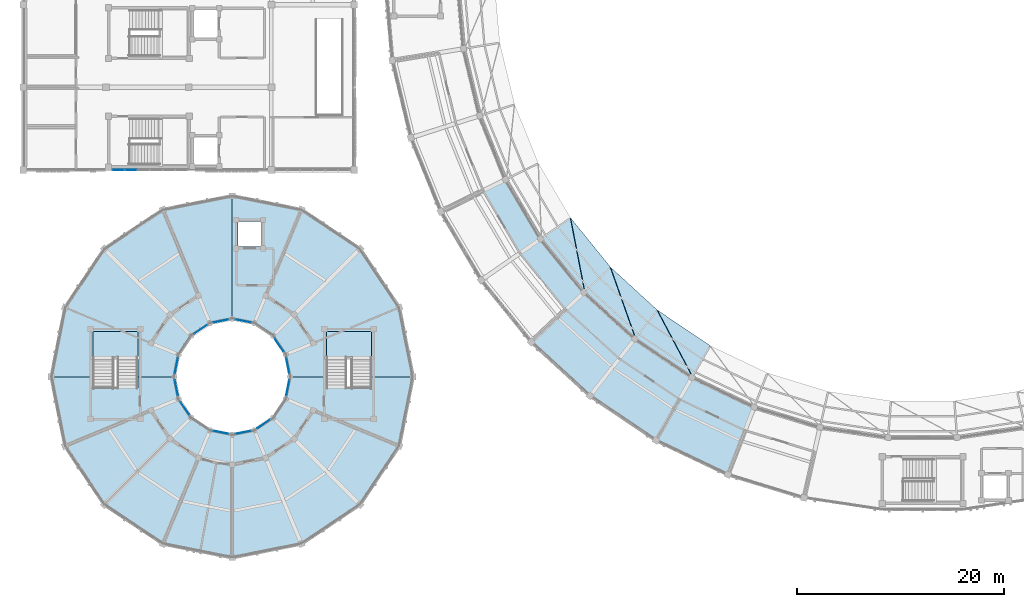
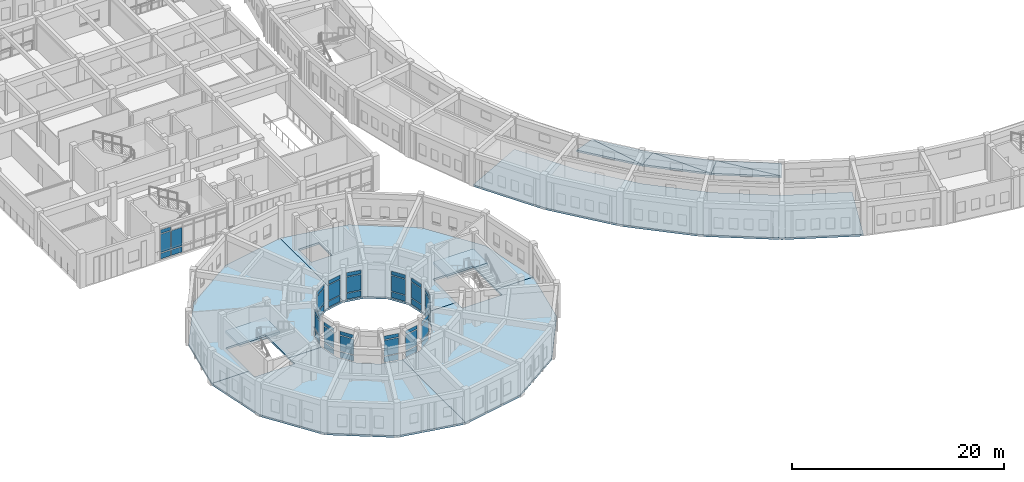
# One storey, part 66 of 112: 41 plates, 13 slabs, 15 elements without a shape of their own.
"""IFC4 building model written with IfcOpenShell, lengths in metres."""

import ifcopenshell
import ifcopenshell.guid

model = None  # the IFC model being written
_history = None  # IfcOwnerHistory: only IFC2X3 demands one
_inside = {}  # id of a spatial element -> (the spatial element, [elements in it])
_under = {}  # id of a project, library or spatial element -> (it, [spatial elements below it])
_declared = {}  # id of a project -> (the project, [libraries it declares])
_typed = {}  # id of a type object -> (the type object, [elements of that type])
_made_of = {}  # id of a material, layer set ... -> (it, [elements and type objects made of it])


def new_model(schema):
    """Start an empty IFC model of exactly this schema.

    Asked for "IFC4X3", IfcOpenShell would pick the latest addendum, in which some entities
    have other attributes; the version numbers below select the first issue.
    IFC2X3 requires an IfcOwnerHistory on every rooted entity: one is made here for all.
    """
    global model, _history
    if schema == "IFC4X3":
        model = ifcopenshell.file(schema_version=(4, 3, 0, 0))
    else:
        model = ifcopenshell.file(schema=schema)
    _inside.clear()
    _under.clear()
    _declared.clear()
    _typed.clear()
    _made_of.clear()
    _history = None
    if model.schema == "IFC2X3":
        org = make("IfcOrganization", Name="unknown")
        user = make(
            "IfcPersonAndOrganization",
            ThePerson=make("IfcPerson", FamilyName="unknown"),
            TheOrganization=org,
        )
        app = make(
            "IfcApplication",
            ApplicationDeveloper=org,
            Version="unknown",
            ApplicationFullName="unknown",
            ApplicationIdentifier="unknown",
        )
        _history = make(
            "IfcOwnerHistory",
            OwningUser=user,
            OwningApplication=app,
            ChangeAction="ADDED",
            CreationDate=0,
        )
    return model


def make(cls, **values):
    """One entity of the class cls with the attributes given. An attribute that is None is left unset."""
    return model.create_entity(
        cls, **{name: value for name, value in values.items() if value is not None}
    )


def rooted(cls, **values):
    """An entity with a GlobalId (a new one), such as an element, a storey or a relation."""
    return make(cls, GlobalId=ifcopenshell.guid.new(), OwnerHistory=_history, **values)


def si_unit(unit_type, name, prefix=None):
    """IfcSIUnit, for example si_unit("LENGTHUNIT", "METRE", prefix="MILLI")."""
    return make("IfcSIUnit", UnitType=unit_type, Prefix=prefix, Name=name)


def assignment(units):
    """IfcUnitAssignment: the units of a project."""
    return None if units is None else make("IfcUnitAssignment", Units=units)


def point(xyz):
    """IfcCartesianPoint."""
    return None if xyz is None else make("IfcCartesianPoint", Coordinates=xyz)


def direction(xyz):
    """IfcDirection."""
    return None if xyz is None else make("IfcDirection", DirectionRatios=xyz)


def frame(location, z_axis=None, x_axis=None):
    """IfcAxis2Placement3D, a coordinate frame: its origin and axes. An axis left out is left unset."""
    return make(
        "IfcAxis2Placement3D",
        Location=point(location),
        Axis=direction(z_axis),
        RefDirection=direction(x_axis),
    )


def frame_2d(location, x_axis=None):
    """IfcAxis2Placement2D, a coordinate frame in the plane: its origin and x axis."""
    return make(
        "IfcAxis2Placement2D", Location=point(location), RefDirection=direction(x_axis)
    )


def origin():
    """The frame at (0, 0, 0) with its axes left unset."""
    return frame((0.0, 0.0, 0.0))


def origin_2d():
    """The frame at (0, 0) in the plane with its x axis left unset."""
    return frame_2d((0.0, 0.0))


def place(relative_to, where):
    """IfcLocalPlacement: puts the frame where relative to a parent placement (None: the world)."""
    return make(
        "IfcLocalPlacement", PlacementRelTo=relative_to, RelativePlacement=where
    )


def context(
    kind, dimensions, precision=None, world=None, true_north=None, identifier=None
):
    """IfcGeometricRepresentationContext, for example the 3D "Model" context."""
    return make(
        "IfcGeometricRepresentationContext",
        ContextIdentifier=identifier,
        ContextType=kind,
        CoordinateSpaceDimension=dimensions,
        Precision=precision,
        WorldCoordinateSystem=world,
        TrueNorth=true_north,
    )


def subcontext(parent, identifier, kind, view, scale=None):
    """IfcGeometricRepresentationSubContext, for example "Body" below "Model"."""
    return make(
        "IfcGeometricRepresentationSubContext",
        ContextIdentifier=identifier,
        ContextType=kind,
        ParentContext=parent,
        TargetScale=scale,
        TargetView=view,
    )


def project(units=None, contexts=None):
    """IfcProject with its units and contexts."""
    return rooted(
        "IfcProject",
        Name="project",
        RepresentationContexts=contexts,
        UnitsInContext=assignment(units),
    )


def spatial(cls, under=None, at=None, **own):
    """A site, building, storey or space (cls), placed at a placement, below another one or the project."""
    s = rooted(cls, ObjectPlacement=at, **own)
    if under is not None:
        _under.setdefault(under.id(), (under, []))[1].append(s)
    return s


def polyline(points):
    """IfcPolyline through the points."""
    return make("IfcPolyline", Points=[point(p) for p in points])


def profile(cls, at=None, kind="AREA", **sizes):
    """A parametric profile (cls). Its sizes go by their IFC names, for example OverallWidth=200.0."""
    return make(cls, ProfileType=kind, Position=at, **sizes)


def rectangle(**sizes):
    """IfcRectangleProfileDef."""
    return profile("IfcRectangleProfileDef", **sizes)


def outline(outer, holes=None, kind="AREA"):
    """IfcArbitraryClosedProfileDef: a profile drawn as a closed curve; with holes, ...WithVoids."""
    if holes is None:
        return make("IfcArbitraryClosedProfileDef", ProfileType=kind, OuterCurve=outer)
    return make(
        "IfcArbitraryProfileDefWithVoids",
        ProfileType=kind,
        OuterCurve=outer,
        InnerCurves=holes,
    )


def extrude(swept, where, along, depth):
    """IfcExtrudedAreaSolid: the profile swept, set in the frame where, extruded along a direction by depth."""
    return make(
        "IfcExtrudedAreaSolid",
        SweptArea=swept,
        Position=where,
        ExtrudedDirection=direction(along),
        Depth=depth,
    )


def shape(context_of_items, identifier, shape_type, items):
    """IfcShapeRepresentation: the items that make up one representation, for example the "Body"."""
    return make(
        "IfcShapeRepresentation",
        ContextOfItems=context_of_items,
        RepresentationIdentifier=identifier,
        RepresentationType=shape_type,
        Items=items,
    )


def material(Name=None, Category=None):
    """IfcMaterial."""
    return make("IfcMaterial", Name=Name, Category=Category)


def layer(
    of_material, thickness, ventilated=None, Name=None, Category=None, Priority=None
):
    """IfcMaterialLayer: one layer of a wall or slab, of a material (None: an air gap)."""
    return make(
        "IfcMaterialLayer",
        Material=of_material,
        LayerThickness=thickness,
        IsVentilated=ventilated,
        Name=Name,
        Category=Category,
        Priority=Priority,
    )


def layer_set(layers, Name=None):
    """IfcMaterialLayerSet."""
    return make("IfcMaterialLayerSet", MaterialLayers=layers, LayerSetName=Name)


def made_of(thing, what):
    """Note that an element or type object is made of a material, layer set ...; save() writes the relation."""
    if what is not None:
        _made_of.setdefault(what.id(), (what, []))[1].append(thing)
    return thing


def type_object(cls, material=None, **own):
    """A type object (cls), such as IfcWallType, which elements share."""
    return made_of(rooted(cls, **own), material)


def element(
    cls,
    number,
    at=None,
    inside=None,
    cuts=None,
    type_object=None,
    material=None,
    context=None,
    identifier="Body",
    shape_type=None,
    held_by="IfcProductDefinitionShape",
    body=None,
    shapes=None,
    **own,
):
    """One element of the class cls, such as IfcWall. Its Tag is "e" and its number.

    at: its placement. inside: the storey or other place that contains it. cuts: it is an
    opening in that element (IfcRelVoidsElement). A single representation is given by context,
    identifier, shape_type and body (its items); several are given by shapes. held_by: the class
    of the entity that holds the representations. save() writes the other relations.
    """
    e = rooted(cls, Tag="e%d" % number, ObjectPlacement=at, **own)
    if body is not None:
        shapes = [shape(context, identifier, shape_type, body)]
    if shapes is not None:
        e.Representation = make(held_by, Representations=shapes)
    if inside is not None:
        _inside.setdefault(inside.id(), (inside, []))[1].append(e)
    if cuts is not None:
        rooted(
            "IfcRelVoidsElement", RelatingBuildingElement=cuts, RelatedOpeningElement=e
        )
    if type_object is not None:
        _typed.setdefault(type_object.id(), (type_object, []))[1].append(e)
    return made_of(e, material)


def aggregate(whole, parts):
    """IfcRelAggregates: a whole, such as a stair, and the parts it consists of."""
    return rooted("IfcRelAggregates", RelatingObject=whole, RelatedObjects=parts)


def save(model, path):
    """Write the relations noted so far, then the file.

    IfcRelAggregates (storeys below a building ...), IfcRelContainedInSpatialStructure (elements
    in a storey), IfcRelDefinesByType, IfcRelAssociatesMaterial and IfcRelDeclares: one each for
    every whole, place, type object, material and project.
    """
    for whole, parts in _under.values():
        aggregate(whole, parts)
    for where, things in _inside.values():
        rooted(
            "IfcRelContainedInSpatialStructure",
            RelatedElements=things,
            RelatingStructure=where,
        )
    for kind, things in _typed.values():
        rooted("IfcRelDefinesByType", RelatedObjects=things, RelatingType=kind)
    for what, things in _made_of.values():
        rooted("IfcRelAssociatesMaterial", RelatedObjects=things, RelatingMaterial=what)
    for by, libraries in _declared.values():
        rooted("IfcRelDeclares", RelatingContext=by, RelatedDefinitions=libraries)
    model.write(path)


model = new_model("IFC4")

# Units and contexts
model_context = context("Model", 3, precision=1e-05, world=origin(), true_north=direction((0.0, 1.0)))
body_context = subcontext(model_context, "Body", "Model", "MODEL_VIEW")
ifc_project = project(units=[si_unit("LENGTHUNIT", "METRE"), si_unit("AREAUNIT", "SQUARE_METRE"), si_unit("VOLUMEUNIT", "CUBIC_METRE"), si_unit("PLANEANGLEUNIT", "RADIAN"), si_unit("MASSUNIT", "GRAM", prefix="KILO")], contexts=[model_context])

# Site, building, storey
site_placement = place(None, origin())
site = spatial("IfcSite", under=ifc_project, at=site_placement, CompositionType="ELEMENT")
building_placement = place(site_placement, origin())
building = spatial("IfcBuilding", under=site, at=building_placement, Name="Celadon Cloister-Ring School", CompositionType="ELEMENT")
storey_placement = place(building_placement, frame((0.0, 0.0, 8.5)))
storey = spatial("IfcBuildingStorey", under=building, at=storey_placement, Name="L02", CompositionType="ELEMENT", Elevation=8.5)

# Curtain wall, plates
ifc_material_1 = material(Name="Aluminium EN AW-6063 T6", Category="aluminium")
curtain_wall_type_1 = type_object("IfcCurtainWallType", Name="CW-04", PredefinedType="USERDEFINED", material=ifc_material_1)
curtain_wall_1_placement = place(storey_placement, origin())
curtain_wall_1 = element("IfcCurtainWall", 1, at=curtain_wall_1_placement, inside=storey, type_object=curtain_wall_type_1, Name="Curtain Wall 0151", ObjectType="CURTAIN WALL", PredefinedType="USERDEFINED")
ifc_material_2 = material(Name="Tempered laminated insulating glass", Category="glass")
ifc_layer_1 = layer(ifc_material_2, 0.02001953125)
ifc_layer_set_1 = layer_set([ifc_layer_1], Name="Tempered laminated insulating glass")
plate_type = type_object("IfcPlateType", Name="CPN-01", PredefinedType="CURTAIN_PANEL", material=ifc_layer_set_1)
plate_1_placement = place(storey_placement, frame((25.5869140625, 21.071533203125, 0.090087890625), z_axis=(0.0, 0.0, 1.0), x_axis=(-0.194586131301, 0.980885435464, 0.0)))
plate_1 = element("IfcPlate", 2, at=plate_1_placement, type_object=plate_type, Name="CW-04 panel 1.1", PredefinedType="CURTAIN_PANEL", context=body_context, shape_type="SweptSolid", body=[
    extrude(rectangle(XDim=1.4443359375, YDim=0.02001953125, at=origin_2d()), origin(), (0.0, 0.0, 1.0), 0.6650390625),
])
plate_2_placement = place(storey_placement, frame((25.5869140625, 21.071533203125, 0.84521484375), z_axis=(0.0, 0.0, 1.0), x_axis=(-0.194586131301, 0.980885435464, 0.0)))
plate_2 = element("IfcPlate", 3, at=plate_2_placement, type_object=plate_type, Name="CW-04 panel 1.2", PredefinedType="CURTAIN_PANEL", context=body_context, shape_type="SweptSolid", body=[
    extrude(rectangle(XDim=1.4443359375, YDim=0.02001953125, at=origin_2d()), origin(), (0.0, 0.0, 1.0), 1.781982421875),
])
plate_3_placement = place(storey_placement, frame((25.5869140625, 21.071533203125, 2.717041015625), z_axis=(0.0, 0.0, 1.0), x_axis=(-0.194586131301, 0.980885435464, 0.0)))
plate_3 = element("IfcPlate", 4, at=plate_3_placement, type_object=plate_type, Name="CW-04 panel 1.3", PredefinedType="CURTAIN_PANEL", context=body_context, shape_type="SweptSolid", body=[
    extrude(rectangle(XDim=1.4443359375, YDim=0.02001953125, at=origin_2d()), origin(), (0.0, 0.0, 1.0), 0.4150390625),
])
aggregate(curtain_wall_1, [plate_1, plate_2, plate_3])

curtain_wall_2_placement = place(storey_placement, origin())
curtain_wall_2 = element("IfcCurtainWall", 5, at=curtain_wall_2_placement, inside=storey, type_object=curtain_wall_type_1, Name="Curtain Wall 0152", ObjectType="CURTAIN WALL", PredefinedType="USERDEFINED")
plate_4_placement = place(storey_placement, frame((24.76708984375, 23.051513671875, 0.090087890625), z_axis=(0.0, 0.0, 1.0), x_axis=(-0.555547066224, 0.831485091394, 0.0)))
plate_4 = element("IfcPlate", 6, at=plate_4_placement, type_object=plate_type, Name="CW-04 panel 1.1", PredefinedType="CURTAIN_PANEL", context=body_context, shape_type="SweptSolid", body=[
    extrude(rectangle(XDim=1.4443359375, YDim=0.02001953125, at=origin_2d()), origin(), (0.0, 0.0, 1.0), 0.6650390625),
])
plate_5_placement = place(storey_placement, frame((24.76708984375, 23.051513671875, 0.84521484375), z_axis=(0.0, 0.0, 1.0), x_axis=(-0.555547066224, 0.831485091394, 0.0)))
plate_5 = element("IfcPlate", 7, at=plate_5_placement, type_object=plate_type, Name="CW-04 panel 1.2", PredefinedType="CURTAIN_PANEL", context=body_context, shape_type="SweptSolid", body=[
    extrude(rectangle(XDim=1.4443359375, YDim=0.02001953125, at=origin_2d()), origin(), (0.0, 0.0, 1.0), 1.781982421875),
])
plate_6_placement = place(storey_placement, frame((24.76708984375, 23.051513671875, 2.717041015625), z_axis=(0.0, 0.0, 1.0), x_axis=(-0.555547066224, 0.831485091394, 0.0)))
plate_6 = element("IfcPlate", 8, at=plate_6_placement, type_object=plate_type, Name="CW-04 panel 1.3", PredefinedType="CURTAIN_PANEL", context=body_context, shape_type="SweptSolid", body=[
    extrude(rectangle(XDim=1.4443359375, YDim=0.02001953125, at=origin_2d()), origin(), (0.0, 0.0, 1.0), 0.4150390625),
])
aggregate(curtain_wall_2, [plate_4, plate_5, plate_6])

curtain_wall_3_placement = place(storey_placement, origin())
curtain_wall_3 = element("IfcCurtainWall", 9, at=curtain_wall_3_placement, inside=storey, type_object=curtain_wall_type_1, Name="Curtain Wall 0153", ObjectType="CURTAIN WALL", PredefinedType="USERDEFINED")
plate_7_placement = place(storey_placement, frame((21.271484375, 25.386962890625, 0.090087890625), z_axis=(0.0, 0.0, 1.0), x_axis=(-0.980885435464, 0.194586131301, 0.0)))
plate_7 = element("IfcPlate", 10, at=plate_7_placement, type_object=plate_type, Name="CW-04 panel 1.1", PredefinedType="CURTAIN_PANEL", context=body_context, shape_type="SweptSolid", body=[
    extrude(rectangle(XDim=1.4443359375, YDim=0.02001953125, at=origin_2d()), origin(), (0.0, 0.0, 1.0), 0.6650390625),
])
plate_8_placement = place(storey_placement, frame((21.271484375, 25.386962890625, 0.84521484375), z_axis=(0.0, 0.0, 1.0), x_axis=(-0.980885435464, 0.194586131301, 0.0)))
plate_8 = element("IfcPlate", 11, at=plate_8_placement, type_object=plate_type, Name="CW-04 panel 1.2", PredefinedType="CURTAIN_PANEL", context=body_context, shape_type="SweptSolid", body=[
    extrude(rectangle(XDim=1.4443359375, YDim=0.02001953125, at=origin_2d()), origin(), (0.0, 0.0, 1.0), 1.781982421875),
])
plate_9_placement = place(storey_placement, frame((21.271484375, 25.386962890625, 2.717041015625), z_axis=(0.0, 0.0, 1.0), x_axis=(-0.980885435464, 0.194586131301, 0.0)))
plate_9 = element("IfcPlate", 12, at=plate_9_placement, type_object=plate_type, Name="CW-04 panel 1.3", PredefinedType="CURTAIN_PANEL", context=body_context, shape_type="SweptSolid", body=[
    extrude(rectangle(XDim=1.4443359375, YDim=0.02001953125, at=origin_2d()), origin(), (0.0, 0.0, 1.0), 0.4150390625),
])
aggregate(curtain_wall_3, [plate_7, plate_8, plate_9])

curtain_wall_4_placement = place(storey_placement, origin())
curtain_wall_4 = element("IfcCurtainWall", 13, at=curtain_wall_4_placement, inside=storey, type_object=curtain_wall_type_1, Name="Curtain Wall 0154", ObjectType="CURTAIN WALL", PredefinedType="USERDEFINED")
plate_10_placement = place(storey_placement, frame((19.12841796875, 25.386962890625, 0.090087890625), z_axis=(0.0, 0.0, 1.0), x_axis=(-0.980885435464, -0.194586131301, 0.0)))
plate_10 = element("IfcPlate", 14, at=plate_10_placement, type_object=plate_type, Name="CW-04 panel 1.1", PredefinedType="CURTAIN_PANEL", context=body_context, shape_type="SweptSolid", body=[
    extrude(rectangle(XDim=1.4443359375, YDim=0.02001953125, at=origin_2d()), origin(), (0.0, 0.0, 1.0), 0.6650390625),
])
plate_11_placement = place(storey_placement, frame((19.12841796875, 25.386962890625, 0.84521484375), z_axis=(0.0, 0.0, 1.0), x_axis=(-0.980885435464, -0.194586131301, 0.0)))
plate_11 = element("IfcPlate", 15, at=plate_11_placement, type_object=plate_type, Name="CW-04 panel 1.2", PredefinedType="CURTAIN_PANEL", context=body_context, shape_type="SweptSolid", body=[
    extrude(rectangle(XDim=1.4443359375, YDim=0.02001953125, at=origin_2d()), origin(), (0.0, 0.0, 1.0), 1.781982421875),
])
plate_12_placement = place(storey_placement, frame((19.12841796875, 25.386962890625, 2.717041015625), z_axis=(0.0, 0.0, 1.0), x_axis=(-0.980885435464, -0.194586131301, 0.0)))
plate_12 = element("IfcPlate", 16, at=plate_12_placement, type_object=plate_type, Name="CW-04 panel 1.3", PredefinedType="CURTAIN_PANEL", context=body_context, shape_type="SweptSolid", body=[
    extrude(rectangle(XDim=1.4443359375, YDim=0.02001953125, at=origin_2d()), origin(), (0.0, 0.0, 1.0), 0.4150390625),
])
aggregate(curtain_wall_4, [plate_10, plate_11, plate_12])

curtain_wall_5_placement = place(storey_placement, origin())
curtain_wall_5 = element("IfcCurtainWall", 17, at=curtain_wall_5_placement, inside=storey, type_object=curtain_wall_type_1, Name="Curtain Wall 0155", ObjectType="CURTAIN WALL", PredefinedType="USERDEFINED")
plate_13_placement = place(storey_placement, frame((17.1484375, 24.56689453125, 0.090087890625), z_axis=(0.0, 0.0, 1.0), x_axis=(-0.831485091394, -0.555547066224, 0.0)))
plate_13 = element("IfcPlate", 18, at=plate_13_placement, type_object=plate_type, Name="CW-04 panel 1.1", PredefinedType="CURTAIN_PANEL", context=body_context, shape_type="SweptSolid", body=[
    extrude(rectangle(XDim=1.4443359375, YDim=0.02001953125, at=origin_2d()), origin(), (0.0, 0.0, 1.0), 0.6650390625),
])
plate_14_placement = place(storey_placement, frame((17.1484375, 24.56689453125, 0.84521484375), z_axis=(0.0, 0.0, 1.0), x_axis=(-0.831485091394, -0.555547066224, 0.0)))
plate_14 = element("IfcPlate", 19, at=plate_14_placement, type_object=plate_type, Name="CW-04 panel 1.2", PredefinedType="CURTAIN_PANEL", context=body_context, shape_type="SweptSolid", body=[
    extrude(rectangle(XDim=1.4443359375, YDim=0.02001953125, at=origin_2d()), origin(), (0.0, 0.0, 1.0), 1.781982421875),
])
plate_15_placement = place(storey_placement, frame((17.1484375, 24.56689453125, 2.717041015625), z_axis=(0.0, 0.0, 1.0), x_axis=(-0.831485091394, -0.555547066224, 0.0)))
plate_15 = element("IfcPlate", 20, at=plate_15_placement, type_object=plate_type, Name="CW-04 panel 1.3", PredefinedType="CURTAIN_PANEL", context=body_context, shape_type="SweptSolid", body=[
    extrude(rectangle(XDim=1.4443359375, YDim=0.02001953125, at=origin_2d()), origin(), (0.0, 0.0, 1.0), 0.4150390625),
])
aggregate(curtain_wall_5, [plate_13, plate_14, plate_15])

curtain_wall_6_placement = place(storey_placement, origin())
curtain_wall_6 = element("IfcCurtainWall", 21, at=curtain_wall_6_placement, inside=storey, type_object=curtain_wall_type_1, Name="Curtain Wall 0156", ObjectType="CURTAIN WALL", PredefinedType="USERDEFINED")
plate_16_placement = place(storey_placement, frame((14.81298828125, 21.071533203125, 0.090087890625), z_axis=(0.0, 0.0, 1.0), x_axis=(-0.194586131301, -0.980885435464, 0.0)))
plate_16 = element("IfcPlate", 22, at=plate_16_placement, type_object=plate_type, Name="CW-04 panel 1.1", PredefinedType="CURTAIN_PANEL", context=body_context, shape_type="SweptSolid", body=[
    extrude(rectangle(XDim=1.4443359375, YDim=0.02001953125, at=origin_2d()), origin(), (0.0, 0.0, 1.0), 0.6650390625),
])
plate_17_placement = place(storey_placement, frame((14.81298828125, 21.071533203125, 0.84521484375), z_axis=(0.0, 0.0, 1.0), x_axis=(-0.194586131301, -0.980885435464, 0.0)))
plate_17 = element("IfcPlate", 23, at=plate_17_placement, type_object=plate_type, Name="CW-04 panel 1.2", PredefinedType="CURTAIN_PANEL", context=body_context, shape_type="SweptSolid", body=[
    extrude(rectangle(XDim=1.4443359375, YDim=0.02001953125, at=origin_2d()), origin(), (0.0, 0.0, 1.0), 1.781982421875),
])
plate_18_placement = place(storey_placement, frame((14.81298828125, 21.071533203125, 2.717041015625), z_axis=(0.0, 0.0, 1.0), x_axis=(-0.194586131301, -0.980885435464, 0.0)))
plate_18 = element("IfcPlate", 24, at=plate_18_placement, type_object=plate_type, Name="CW-04 panel 1.3", PredefinedType="CURTAIN_PANEL", context=body_context, shape_type="SweptSolid", body=[
    extrude(rectangle(XDim=1.4443359375, YDim=0.02001953125, at=origin_2d()), origin(), (0.0, 0.0, 1.0), 0.4150390625),
])
aggregate(curtain_wall_6, [plate_16, plate_17, plate_18])

curtain_wall_7_placement = place(storey_placement, origin())
curtain_wall_7 = element("IfcCurtainWall", 25, at=curtain_wall_7_placement, inside=storey, type_object=curtain_wall_type_1, Name="Curtain Wall 0157", ObjectType="CURTAIN WALL", PredefinedType="USERDEFINED")
plate_19_placement = place(storey_placement, frame((14.81298828125, 18.928466796875, 0.090087890625), z_axis=(0.0, 0.0, 1.0), x_axis=(0.194586131301, -0.980885435464, 0.0)))
plate_19 = element("IfcPlate", 26, at=plate_19_placement, type_object=plate_type, Name="CW-04 panel 1.1", PredefinedType="CURTAIN_PANEL", context=body_context, shape_type="SweptSolid", body=[
    extrude(rectangle(XDim=1.4443359375, YDim=0.02001953125, at=origin_2d()), origin(), (0.0, 0.0, 1.0), 0.6650390625),
])
plate_20_placement = place(storey_placement, frame((14.81298828125, 18.928466796875, 0.84521484375), z_axis=(0.0, 0.0, 1.0), x_axis=(0.194586131301, -0.980885435464, 0.0)))
plate_20 = element("IfcPlate", 27, at=plate_20_placement, type_object=plate_type, Name="CW-04 panel 1.2", PredefinedType="CURTAIN_PANEL", context=body_context, shape_type="SweptSolid", body=[
    extrude(rectangle(XDim=1.4443359375, YDim=0.02001953125, at=origin_2d()), origin(), (0.0, 0.0, 1.0), 1.781982421875),
])
plate_21_placement = place(storey_placement, frame((14.81298828125, 18.928466796875, 2.717041015625), z_axis=(0.0, 0.0, 1.0), x_axis=(0.194586131301, -0.980885435464, 0.0)))
plate_21 = element("IfcPlate", 28, at=plate_21_placement, type_object=plate_type, Name="CW-04 panel 1.3", PredefinedType="CURTAIN_PANEL", context=body_context, shape_type="SweptSolid", body=[
    extrude(rectangle(XDim=1.4443359375, YDim=0.02001953125, at=origin_2d()), origin(), (0.0, 0.0, 1.0), 0.4150390625),
])
aggregate(curtain_wall_7, [plate_19, plate_20, plate_21])

curtain_wall_8_placement = place(storey_placement, origin())
curtain_wall_8 = element("IfcCurtainWall", 29, at=curtain_wall_8_placement, inside=storey, type_object=curtain_wall_type_1, Name="Curtain Wall 0158", ObjectType="CURTAIN WALL", PredefinedType="USERDEFINED")
plate_22_placement = place(storey_placement, frame((15.633056640625, 16.948486328125, 0.090087890625), z_axis=(0.0, 0.0, 1.0), x_axis=(0.555547066224, -0.831485091394, 0.0)))
plate_22 = element("IfcPlate", 30, at=plate_22_placement, type_object=plate_type, Name="CW-04 panel 1.1", PredefinedType="CURTAIN_PANEL", context=body_context, shape_type="SweptSolid", body=[
    extrude(rectangle(XDim=1.4443359375, YDim=0.02001953125, at=origin_2d()), origin(), (0.0, 0.0, 1.0), 0.6650390625),
])
plate_23_placement = place(storey_placement, frame((15.633056640625, 16.948486328125, 0.84521484375), z_axis=(0.0, 0.0, 1.0), x_axis=(0.555547066224, -0.831485091394, 0.0)))
plate_23 = element("IfcPlate", 31, at=plate_23_placement, type_object=plate_type, Name="CW-04 panel 1.2", PredefinedType="CURTAIN_PANEL", context=body_context, shape_type="SweptSolid", body=[
    extrude(rectangle(XDim=1.4443359375, YDim=0.02001953125, at=origin_2d()), origin(), (0.0, 0.0, 1.0), 1.781982421875),
])
plate_24_placement = place(storey_placement, frame((15.633056640625, 16.948486328125, 2.717041015625), z_axis=(0.0, 0.0, 1.0), x_axis=(0.555547066224, -0.831485091394, 0.0)))
plate_24 = element("IfcPlate", 32, at=plate_24_placement, type_object=plate_type, Name="CW-04 panel 1.3", PredefinedType="CURTAIN_PANEL", context=body_context, shape_type="SweptSolid", body=[
    extrude(rectangle(XDim=1.4443359375, YDim=0.02001953125, at=origin_2d()), origin(), (0.0, 0.0, 1.0), 0.4150390625),
])
aggregate(curtain_wall_8, [plate_22, plate_23, plate_24])

curtain_wall_9_placement = place(storey_placement, origin())
curtain_wall_9 = element("IfcCurtainWall", 33, at=curtain_wall_9_placement, inside=storey, type_object=curtain_wall_type_1, Name="Curtain Wall 0159", ObjectType="CURTAIN WALL", PredefinedType="USERDEFINED")
plate_25_placement = place(storey_placement, frame((19.12841796875, 14.613037109375, 0.090087890625), z_axis=(0.0, 0.0, 1.0), x_axis=(0.980885435464, -0.194586131301, 0.0)))
plate_25 = element("IfcPlate", 34, at=plate_25_placement, type_object=plate_type, Name="CW-04 panel 1.1", PredefinedType="CURTAIN_PANEL", context=body_context, shape_type="SweptSolid", body=[
    extrude(rectangle(XDim=1.4443359375, YDim=0.02001953125, at=origin_2d()), origin(), (0.0, 0.0, 1.0), 0.6650390625),
])
plate_26_placement = place(storey_placement, frame((19.12841796875, 14.613037109375, 0.84521484375), z_axis=(0.0, 0.0, 1.0), x_axis=(0.980885435464, -0.194586131301, 0.0)))
plate_26 = element("IfcPlate", 35, at=plate_26_placement, type_object=plate_type, Name="CW-04 panel 1.2", PredefinedType="CURTAIN_PANEL", context=body_context, shape_type="SweptSolid", body=[
    extrude(rectangle(XDim=1.4443359375, YDim=0.02001953125, at=origin_2d()), origin(), (0.0, 0.0, 1.0), 1.781982421875),
])
plate_27_placement = place(storey_placement, frame((19.12841796875, 14.613037109375, 2.717041015625), z_axis=(0.0, 0.0, 1.0), x_axis=(0.980885435464, -0.194586131301, 0.0)))
plate_27 = element("IfcPlate", 36, at=plate_27_placement, type_object=plate_type, Name="CW-04 panel 1.3", PredefinedType="CURTAIN_PANEL", context=body_context, shape_type="SweptSolid", body=[
    extrude(rectangle(XDim=1.4443359375, YDim=0.02001953125, at=origin_2d()), origin(), (0.0, 0.0, 1.0), 0.4150390625),
])
aggregate(curtain_wall_9, [plate_25, plate_26, plate_27])

curtain_wall_10_placement = place(storey_placement, origin())
curtain_wall_10 = element("IfcCurtainWall", 37, at=curtain_wall_10_placement, inside=storey, type_object=curtain_wall_type_1, Name="Curtain Wall 0160", ObjectType="CURTAIN WALL", PredefinedType="USERDEFINED")
plate_28_placement = place(storey_placement, frame((21.271484375, 14.613037109375, 0.090087890625), z_axis=(0.0, 0.0, 1.0), x_axis=(0.980885435464, 0.194586131301, 0.0)))
plate_28 = element("IfcPlate", 38, at=plate_28_placement, type_object=plate_type, Name="CW-04 panel 1.1", PredefinedType="CURTAIN_PANEL", context=body_context, shape_type="SweptSolid", body=[
    extrude(rectangle(XDim=1.4443359375, YDim=0.02001953125, at=origin_2d()), origin(), (0.0, 0.0, 1.0), 0.6650390625),
])
plate_29_placement = place(storey_placement, frame((21.271484375, 14.613037109375, 0.84521484375), z_axis=(0.0, 0.0, 1.0), x_axis=(0.980885435464, 0.194586131301, 0.0)))
plate_29 = element("IfcPlate", 39, at=plate_29_placement, type_object=plate_type, Name="CW-04 panel 1.2", PredefinedType="CURTAIN_PANEL", context=body_context, shape_type="SweptSolid", body=[
    extrude(rectangle(XDim=1.4443359375, YDim=0.02001953125, at=origin_2d()), origin(), (0.0, 0.0, 1.0), 1.781982421875),
])
plate_30_placement = place(storey_placement, frame((21.271484375, 14.613037109375, 2.717041015625), z_axis=(0.0, 0.0, 1.0), x_axis=(0.980885435464, 0.194586131301, 0.0)))
plate_30 = element("IfcPlate", 40, at=plate_30_placement, type_object=plate_type, Name="CW-04 panel 1.3", PredefinedType="CURTAIN_PANEL", context=body_context, shape_type="SweptSolid", body=[
    extrude(rectangle(XDim=1.4443359375, YDim=0.02001953125, at=origin_2d()), origin(), (0.0, 0.0, 1.0), 0.4150390625),
])
aggregate(curtain_wall_10, [plate_28, plate_29, plate_30])

curtain_wall_11_placement = place(storey_placement, origin())
curtain_wall_11 = element("IfcCurtainWall", 41, at=curtain_wall_11_placement, inside=storey, type_object=curtain_wall_type_1, Name="Curtain Wall 0161", ObjectType="CURTAIN WALL", PredefinedType="USERDEFINED")
plate_31_placement = place(storey_placement, frame((23.25146484375, 15.43310546875, 0.090087890625), z_axis=(0.0, 0.0, 1.0), x_axis=(0.831485091394, 0.555547066224, 0.0)))
plate_31 = element("IfcPlate", 42, at=plate_31_placement, type_object=plate_type, Name="CW-04 panel 1.1", PredefinedType="CURTAIN_PANEL", context=body_context, shape_type="SweptSolid", body=[
    extrude(rectangle(XDim=1.4443359375, YDim=0.02001953125, at=origin_2d()), origin(), (0.0, 0.0, 1.0), 0.6650390625),
])
plate_32_placement = place(storey_placement, frame((23.25146484375, 15.43310546875, 0.84521484375), z_axis=(0.0, 0.0, 1.0), x_axis=(0.831485091394, 0.555547066224, 0.0)))
plate_32 = element("IfcPlate", 43, at=plate_32_placement, type_object=plate_type, Name="CW-04 panel 1.2", PredefinedType="CURTAIN_PANEL", context=body_context, shape_type="SweptSolid", body=[
    extrude(rectangle(XDim=1.4443359375, YDim=0.02001953125, at=origin_2d()), origin(), (0.0, 0.0, 1.0), 1.781982421875),
])
plate_33_placement = place(storey_placement, frame((23.25146484375, 15.43310546875, 2.717041015625), z_axis=(0.0, 0.0, 1.0), x_axis=(0.831485091394, 0.555547066224, 0.0)))
plate_33 = element("IfcPlate", 44, at=plate_33_placement, type_object=plate_type, Name="CW-04 panel 1.3", PredefinedType="CURTAIN_PANEL", context=body_context, shape_type="SweptSolid", body=[
    extrude(rectangle(XDim=1.4443359375, YDim=0.02001953125, at=origin_2d()), origin(), (0.0, 0.0, 1.0), 0.4150390625),
])
aggregate(curtain_wall_11, [plate_31, plate_32, plate_33])

curtain_wall_12_placement = place(storey_placement, origin())
curtain_wall_12 = element("IfcCurtainWall", 45, at=curtain_wall_12_placement, inside=storey, type_object=curtain_wall_type_1, Name="Curtain Wall 0162", ObjectType="CURTAIN WALL", PredefinedType="USERDEFINED")
plate_34_placement = place(storey_placement, frame((25.5869140625, 18.928466796875, 0.090087890625), z_axis=(0.0, 0.0, 1.0), x_axis=(0.194586131301, 0.980885435464, 0.0)))
plate_34 = element("IfcPlate", 46, at=plate_34_placement, type_object=plate_type, Name="CW-04 panel 1.1", PredefinedType="CURTAIN_PANEL", context=body_context, shape_type="SweptSolid", body=[
    extrude(rectangle(XDim=1.4443359375, YDim=0.02001953125, at=origin_2d()), origin(), (0.0, 0.0, 1.0), 0.6650390625),
])
plate_35_placement = place(storey_placement, frame((25.5869140625, 18.928466796875, 0.84521484375), z_axis=(0.0, 0.0, 1.0), x_axis=(0.194586131301, 0.980885435464, 0.0)))
plate_35 = element("IfcPlate", 47, at=plate_35_placement, type_object=plate_type, Name="CW-04 panel 1.2", PredefinedType="CURTAIN_PANEL", context=body_context, shape_type="SweptSolid", body=[
    extrude(rectangle(XDim=1.4443359375, YDim=0.02001953125, at=origin_2d()), origin(), (0.0, 0.0, 1.0), 1.781982421875),
])
plate_36_placement = place(storey_placement, frame((25.5869140625, 18.928466796875, 2.717041015625), z_axis=(0.0, 0.0, 1.0), x_axis=(0.194586131301, 0.980885435464, 0.0)))
plate_36 = element("IfcPlate", 48, at=plate_36_placement, type_object=plate_type, Name="CW-04 panel 1.3", PredefinedType="CURTAIN_PANEL", context=body_context, shape_type="SweptSolid", body=[
    extrude(rectangle(XDim=1.4443359375, YDim=0.02001953125, at=origin_2d()), origin(), (0.0, 0.0, 1.0), 0.4150390625),
])
aggregate(curtain_wall_12, [plate_34, plate_35, plate_36])

ifc_material_3 = material(Name="Aluminium EN AW-6063 T6", Category="aluminium")
curtain_wall_type_2 = type_object("IfcCurtainWallType", Name="CW-13", PredefinedType="USERDEFINED", material=ifc_material_3)
curtain_wall_13_placement = place(storey_placement, origin())
curtain_wall_13 = element("IfcCurtainWall", 49, at=curtain_wall_13_placement, inside=storey, type_object=curtain_wall_type_2, Name="Curtain Wall 0202", ObjectType="CURTAIN WALL", PredefinedType="USERDEFINED")
plate_37_placement = place(storey_placement, frame((10.3974609375, 40.0, 0.10498046875), z_axis=(0.0, 0.0, 1.0), x_axis=(-1.0, 0.0, 0.0)))
plate_37 = element("IfcPlate", 50, at=plate_37_placement, type_object=plate_type, Name="CW-13 panel 5.1", PredefinedType="CURTAIN_PANEL", context=body_context, shape_type="SweptSolid", body=[
    extrude(rectangle(XDim=1.12158203125, YDim=0.02001953125, at=origin_2d()), origin(), (0.0, 0.0, 1.0), 0.642578125),
])
plate_38_placement = place(storey_placement, frame((10.3974609375, 40.0, 0.8525390625), z_axis=(0.0, 0.0, 1.0), x_axis=(-1.0, 0.0, 0.0)))
plate_38 = element("IfcPlate", 51, at=plate_38_placement, type_object=plate_type, Name="CW-13 panel 5.2", PredefinedType="CURTAIN_PANEL", context=body_context, shape_type="SweptSolid", body=[
    extrude(rectangle(XDim=1.12158203125, YDim=0.02001953125, at=origin_2d()), origin(), (0.0, 0.0, 1.0), 2.094970703125),
])
plate_39_placement = place(storey_placement, frame((9.193359375, 40.0, 0.10498046875), z_axis=(0.0, 0.0, 1.0), x_axis=(-1.0, 0.0, 0.0)))
plate_39 = element("IfcPlate", 52, at=plate_39_placement, type_object=plate_type, Name="CW-13 panel 6.1", PredefinedType="CURTAIN_PANEL", context=body_context, shape_type="SweptSolid", body=[
    extrude(rectangle(XDim=1.066650390625, YDim=0.02001953125, at=origin_2d()), origin(), (0.0, 0.0, 1.0), 0.642578125),
])
plate_40_placement = place(storey_placement, frame((9.193359375, 40.0, 0.8525390625), z_axis=(0.0, 0.0, 1.0), x_axis=(-1.0, 0.0, 0.0)))
plate_40 = element("IfcPlate", 53, at=plate_40_placement, type_object=plate_type, Name="CW-13 panel 6.2", PredefinedType="CURTAIN_PANEL", context=body_context, shape_type="SweptSolid", body=[
    extrude(rectangle(XDim=1.066650390625, YDim=0.02001953125, at=origin_2d()), origin(), (0.0, 0.0, 1.0), 2.094970703125),
])
plate_41_placement = place(storey_placement, frame((9.193359375, 40.0, 3.052490234375), z_axis=(0.0, 0.0, 1.0), x_axis=(-1.0, 0.0, 0.0)))
plate_41 = element("IfcPlate", 54, at=plate_41_placement, type_object=plate_type, Name="CW-13 panel 6.3", PredefinedType="CURTAIN_PANEL", context=body_context, shape_type="SweptSolid", body=[
    extrude(rectangle(XDim=1.066650390625, YDim=0.02001953125, at=origin_2d()), origin(), (0.0, 0.0, 1.0), 0.392578125),
])
aggregate(curtain_wall_13, [plate_37, plate_38, plate_39, plate_40, plate_41])

# Slabs
ifc_material_4 = material(Name="Concrete C35/45", Category="concrete")
ifc_layer_2 = layer(ifc_material_4, 0.219970703125)
ifc_layer_set_2 = layer_set([ifc_layer_2], Name="Concrete C35/45")
slab_type_1 = type_object("IfcSlabType", Name="SL-FL2", PredefinedType="FLOOR", material=ifc_layer_set_2)
slab_1_placement = place(storey_placement, frame((0.0, 0.0, -0.219970703125)))
element("IfcSlab", 55, at=slab_1_placement, inside=storey, type_object=slab_type_1, Name="Ring L02 Sector 0017", PredefinedType="FLOOR", context=body_context, shape_type="SweptSolid", body=[
    extrude(outline(polyline([(46.65087890625, 39.075927734375), (50.0380859375, 33.3330078125), (54.235107421875, 28.154052734375), (59.152099609375, 23.652099609375), (64.679931640625, 19.926025390625), (70.697998046875, 17.056884765625), (68.162109375, 10.531982421875), (61.2080078125, 13.846923828125), (54.820068359375, 18.153076171875), (49.137939453125, 23.35595703125), (44.2880859375, 29.341064453125), (40.375, 35.97705078125), (46.65087890625, 39.075927734375)])), origin(), (0.0, 0.0, 1.0), 0.219970703125),
])
slab_2_placement = place(storey_placement, frame((0.0, 0.0, -0.219970703125)))
element("IfcSlab", 56, at=slab_2_placement, inside=storey, type_object=slab_type_1, Name="V5a Ring L02 Sector 0053", PredefinedType="FLOOR", context=body_context, shape_type="SweptSolid", body=[
    extrude(outline(polyline([(25.800048828125, 20.0), (25.3740234375, 22.14306640625), (24.159912109375, 23.9599609375), (22.343017578125, 25.174072265625), (20.199951171875, 25.60009765625), (20.199951171875, 37.5), (26.89697265625, 36.16796875), (32.573974609375, 32.3740234375), (36.367919921875, 26.697021484375), (37.699951171875, 20.0), (33.679931640625, 20.0), (33.679931640625, 24.39990234375), (29.320068359375, 24.39990234375), (29.320068359375, 20.0), (25.800048828125, 20.0)]), holes=[polyline([(23.02001953125, 32.580078125), (23.02001953125, 35.02001953125), (20.780029296875, 35.02001953125), (20.780029296875, 32.580078125), (23.02001953125, 32.580078125)])]), origin(), (0.0, 0.0, 1.0), 0.219970703125),
])
slab_3_placement = place(storey_placement, frame((0.0, 0.0, -0.219970703125)))
element("IfcSlab", 57, at=slab_3_placement, inside=storey, type_object=slab_type_1, Name="V5a Ring L02 Sector 0054", PredefinedType="FLOOR", context=body_context, shape_type="SweptSolid", body=[
    extrude(outline(polyline([(2.699951171875, 20.0), (4.031982421875, 26.697021484375), (7.825927734375, 32.3740234375), (13.5029296875, 36.16796875), (20.199951171875, 37.5), (20.199951171875, 25.60009765625), (18.056884765625, 25.174072265625), (16.239990234375, 23.9599609375), (15.02587890625, 22.14306640625), (14.60009765625, 20.0), (11.080078125, 20.0), (11.080078125, 24.39990234375), (6.719970703125, 24.39990234375), (6.719970703125, 20.0), (2.699951171875, 20.0)])), origin(), (0.0, 0.0, 1.0), 0.219970703125),
])
slab_4_placement = place(storey_placement, frame((0.0, 0.0, -0.219970703125)))
element("IfcSlab", 58, at=slab_4_placement, inside=storey, type_object=slab_type_1, Name="V5a Ring L02 Sector 0055", PredefinedType="FLOOR", context=body_context, shape_type="SweptSolid", body=[
    extrude(outline(polyline([(14.60009765625, 20.0), (15.02587890625, 17.85693359375), (16.239990234375, 16.0400390625), (18.056884765625, 14.825927734375), (20.199951171875, 14.39990234375), (20.199951171875, 2.5), (13.5029296875, 3.83203125), (7.825927734375, 7.6259765625), (4.031982421875, 13.302978515625), (2.699951171875, 20.0), (6.719970703125, 20.0), (6.719970703125, 18.9150390625), (11.080078125, 18.9150390625), (11.080078125, 20.0), (14.60009765625, 20.0)])), origin(), (0.0, 0.0, 1.0), 0.219970703125),
])
slab_5_placement = place(storey_placement, frame((0.0, 0.0, -0.219970703125)))
element("IfcSlab", 59, at=slab_5_placement, inside=storey, type_object=slab_type_1, Name="V5a Ring L02 Sector 0056", PredefinedType="FLOOR", context=body_context, shape_type="SweptSolid", body=[
    extrude(outline(polyline([(37.699951171875, 20.0), (36.367919921875, 13.302978515625), (32.573974609375, 7.6259765625), (26.89697265625, 3.83203125), (20.199951171875, 2.5), (20.199951171875, 14.39990234375), (22.343017578125, 14.825927734375), (24.159912109375, 16.0400390625), (25.3740234375, 17.85693359375), (25.800048828125, 20.0), (29.320068359375, 20.0), (29.320068359375, 18.9150390625), (33.679931640625, 18.9150390625), (33.679931640625, 20.0), (37.699951171875, 20.0)])), origin(), (0.0, 0.0, 1.0), 0.219970703125),
])

# Stair, slab
ifc_material_5 = material(Name="Concrete C35/45", Category="concrete")
stair_type_1 = type_object("IfcStairType", Name="ST-02", PredefinedType="HALF_TURN_STAIR", material=ifc_material_5)
stair_1_placement = place(storey_placement, origin())
stair_1 = element("IfcStair", 60, at=stair_1_placement, inside=storey, type_object=stair_type_1, Name="Exit Stair ST-V5L1 L02", PredefinedType="HALF_TURN_STAIR")
ifc_material_6 = material(Name="Concrete C35/45", Category="concrete")
ifc_layer_3 = layer(ifc_material_6, 0.280029296875)
ifc_layer_set_3 = layer_set([ifc_layer_3], Name="Concrete C35/45")
slab_type_2 = type_object("IfcSlabType", Name="SL-LD1", PredefinedType="LANDING", material=ifc_layer_set_3)
slab_6_placement = place(storey_placement, frame((0.0, 0.0, 1.719970703125)))
slab_6 = element("IfcSlab", 61, at=slab_6_placement, type_object=slab_type_2, Name="ST-02 landing 1", PredefinedType="LANDING", context=body_context, shape_type="SweptSolid", body=[
    extrude(outline(polyline([(6.719970703125, 21.68994140625), (11.080078125, 21.68994140625), (11.080078125, 24.39990234375), (6.719970703125, 24.39990234375), (6.719970703125, 21.68994140625)])), origin(), (0.0, 0.0, 1.0), 0.280029296875),
])
aggregate(stair_1, [slab_6])

ifc_material_7 = material(Name="Concrete C35/45", Category="concrete")
stair_type_2 = type_object("IfcStairType", Name="ST-04", PredefinedType="HALF_TURN_STAIR", material=ifc_material_7)
stair_2_placement = place(storey_placement, origin())
stair_2 = element("IfcStair", 62, at=stair_2_placement, inside=storey, type_object=stair_type_2, Name="Exit Stair ST-V5L2 L02", PredefinedType="HALF_TURN_STAIR")
ifc_material_8 = material(Name="Concrete C35/45", Category="concrete")
ifc_layer_4 = layer(ifc_material_8, 0.300048828125)
ifc_layer_set_4 = layer_set([ifc_layer_4], Name="Concrete C35/45")
slab_type_3 = type_object("IfcSlabType", Name="SL-LD2", PredefinedType="LANDING", material=ifc_layer_set_4)
slab_7_placement = place(storey_placement, frame((0.0, 0.0, 1.699951171875)))
slab_7 = element("IfcSlab", 63, at=slab_7_placement, type_object=slab_type_3, Name="ST-04 landing 1", PredefinedType="LANDING", context=body_context, shape_type="SweptSolid", body=[
    extrude(outline(polyline([(29.320068359375, 21.68994140625), (33.679931640625, 21.68994140625), (33.679931640625, 24.39990234375), (29.320068359375, 24.39990234375), (29.320068359375, 21.68994140625)])), origin(), (0.0, 0.0, 1.0), 0.300048828125),
])
aggregate(stair_2, [slab_7])

# Slabs
ifc_material_9 = material(Name="Concrete C35/45", Category="concrete")
ifc_layer_5 = layer(ifc_material_9, 0.179931640625)
ifc_layer_set_5 = layer_set([ifc_layer_5], Name="Concrete C35/45")
slab_type_4 = type_object("IfcSlabType", Name="SL-RF1", PredefinedType="ROOF", material=ifc_layer_set_5)
slab_8_placement = place(storey_placement, frame((52.952880859375, 35.35791015625, 1.199951171875), z_axis=(0.201352115654, 0.163186962327, 0.965829871586), x_axis=(-0.793533770758, -0.550886938465, 0.258510610413)))
element("IfcSlab", 64, at=slab_8_placement, inside=storey, type_object=slab_type_4, Name="Conical Lower Roof Inner Tri 0045", PredefinedType="ROOF", context=body_context, shape_type="SweptSolid", body=[
    extrude(outline(polyline([(0.0, 0.0), (3.539657660623166, 7.632783294297951e-17), (3.0632499547535446, 6.6312558798692045), (0.0, 0.0)])), origin(), (0.0, 0.0, -1.0), 0.179931640625),
])
slab_9_placement = place(storey_placement, frame((52.952880859375, 35.35791015625, 1.199951171875), z_axis=(0.201267487854, 0.163173150148, 0.965849844129), x_axis=(0.18853857788, -0.974043569428, 0.125269028522)))
element("IfcSlab", 65, at=slab_9_placement, inside=storey, type_object=slab_type_4, Name="Conical Lower Roof Outer Tri 0046", PredefinedType="ROOF", context=body_context, shape_type="SweptSolid", body=[
    extrude(outline(polyline([(0.0, 0.0), (7.3045913526765816, 1.1102230246251565e-16), (5.375320882104304, 2.9688635709773084), (0.0, 0.0)])), origin(), (0.0, 0.0, -1.0), 0.179931640625),
])
slab_10_placement = place(storey_placement, frame((56.820068359375, 30.587890625, 1.199951171875), z_axis=(0.174986676513, 0.191079702563, 0.965851029047), x_axis=(-0.703257016137, -0.662298621433, 0.258437817088)))
element("IfcSlab", 66, at=slab_10_placement, inside=storey, type_object=slab_type_4, Name="Conical Lower Roof Inner Tri 0049", PredefinedType="ROOF", context=body_context, shape_type="SweptSolid", body=[
    extrude(outline(polyline([(0.0, 0.0), (3.5406546642814942, -2.7755575615628914e-17), (3.0664579802703913, 6.629824152092408), (0.0, 0.0)])), origin(), (0.0, 0.0, -1.0), 0.179931640625),
])
slab_11_placement = place(storey_placement, frame((56.820068359375, 30.587890625, 1.199951171875), z_axis=(0.174948696359, 0.191067541867, 0.965860314998), x_axis=(0.33018272952, -0.935567867671, 0.125268232639)))
element("IfcSlab", 67, at=slab_11_placement, inside=storey, type_object=slab_type_4, Name="Conical Lower Roof Outer Tri 0050", PredefinedType="ROOF", context=body_context, shape_type="SweptSolid", body=[
    extrude(outline(polyline([(0.0, 0.0), (7.304637761890168, -1.1102230246251565e-16), (5.3751893592728734, 2.9693501367124977), (0.0, 0.0)])), origin(), (0.0, 0.0, -1.0), 0.179931640625),
])
slab_12_placement = place(storey_placement, frame((61.34912109375, 26.44091796875, 1.199951171875), z_axis=(0.144812983365, 0.214812268426, 0.965859663296), x_axis=(-0.597879715709, -0.758794297866, 0.258400965692)))
element("IfcSlab", 68, at=slab_12_placement, inside=storey, type_object=slab_type_4, Name="Conical Lower Roof Inner Tri 0053", PredefinedType="ROOF", context=body_context, shape_type="SweptSolid", body=[
    extrude(outline(polyline([(0.0, 0.0), (3.5411596084837744, 2.8102520310824275e-16), (3.0652120674578067, 6.630424529440484), (0.0, 0.0)])), origin(), (0.0, 0.0, -1.0), 0.179931640625),
])
slab_13_placement = place(storey_placement, frame((61.34912109375, 26.44091796875, 1.199951171875), z_axis=(0.144831351061, 0.214821325491, 0.965854894829), x_axis=(0.464741068608, -0.876540759821, 0.125267855098)))
element("IfcSlab", 69, at=slab_13_placement, inside=storey, type_object=slab_type_4, Name="Conical Lower Roof Outer Tri 0054", PredefinedType="ROOF", context=body_context, shape_type="SweptSolid", body=[
    extrude(outline(polyline([(0.0, 0.0), (7.3046597770940025, -5.273559366969494e-16), (5.375409997738508, 2.969158074372058), (0.0, 0.0)])), origin(), (0.0, 0.0, -1.0), 0.179931640625),
])

save(model, "model.ifc")
